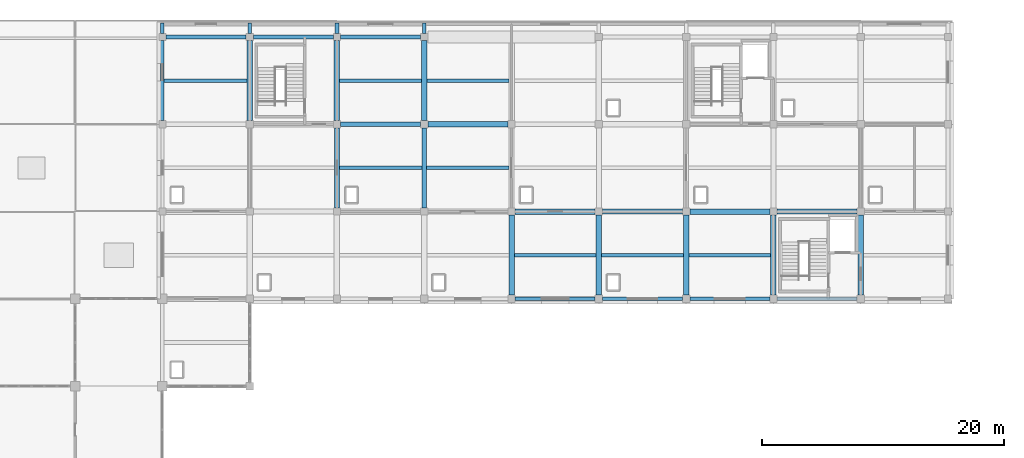
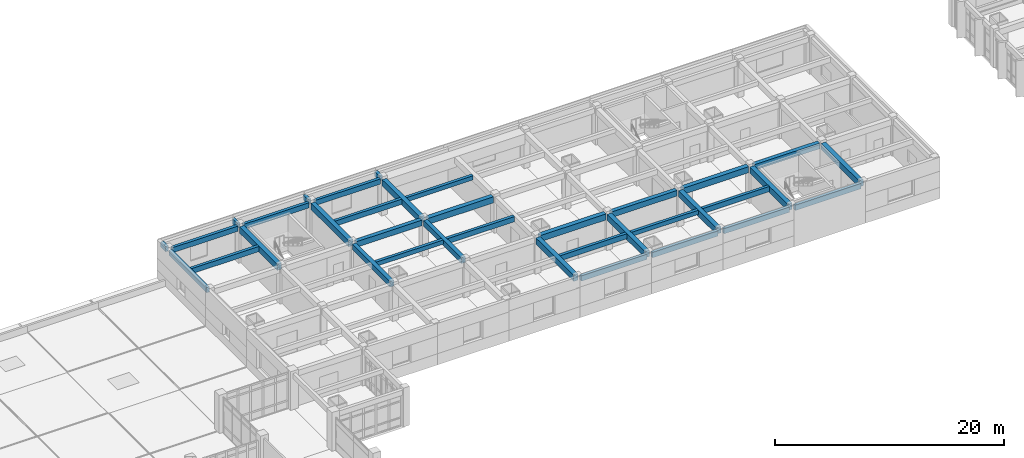
# One storey, part 14 of 62: 36 beams.
"""IFC4 building model written with IfcOpenShell, lengths in metres."""

import ifcopenshell
import ifcopenshell.guid

model = None  # the IFC model being written
_history = None  # IfcOwnerHistory: only IFC2X3 demands one
_inside = {}  # id of a spatial element -> (the spatial element, [elements in it])
_under = {}  # id of a project, library or spatial element -> (it, [spatial elements below it])
_declared = {}  # id of a project -> (the project, [libraries it declares])
_typed = {}  # id of a type object -> (the type object, [elements of that type])
_made_of = {}  # id of a material, layer set ... -> (it, [elements and type objects made of it])


def new_model(schema):
    """Start an empty IFC model of exactly this schema.

    Asked for "IFC4X3", IfcOpenShell would pick the latest addendum, in which some entities
    have other attributes; the version numbers below select the first issue.
    IFC2X3 requires an IfcOwnerHistory on every rooted entity: one is made here for all.
    """
    global model, _history
    if schema == "IFC4X3":
        model = ifcopenshell.file(schema_version=(4, 3, 0, 0))
    else:
        model = ifcopenshell.file(schema=schema)
    _inside.clear()
    _under.clear()
    _declared.clear()
    _typed.clear()
    _made_of.clear()
    _history = None
    if model.schema == "IFC2X3":
        org = make("IfcOrganization", Name="unknown")
        user = make(
            "IfcPersonAndOrganization",
            ThePerson=make("IfcPerson", FamilyName="unknown"),
            TheOrganization=org,
        )
        app = make(
            "IfcApplication",
            ApplicationDeveloper=org,
            Version="unknown",
            ApplicationFullName="unknown",
            ApplicationIdentifier="unknown",
        )
        _history = make(
            "IfcOwnerHistory",
            OwningUser=user,
            OwningApplication=app,
            ChangeAction="ADDED",
            CreationDate=0,
        )
    return model


def make(cls, **values):
    """One entity of the class cls with the attributes given. An attribute that is None is left unset."""
    return model.create_entity(
        cls, **{name: value for name, value in values.items() if value is not None}
    )


def rooted(cls, **values):
    """An entity with a GlobalId (a new one), such as an element, a storey or a relation."""
    return make(cls, GlobalId=ifcopenshell.guid.new(), OwnerHistory=_history, **values)


def si_unit(unit_type, name, prefix=None):
    """IfcSIUnit, for example si_unit("LENGTHUNIT", "METRE", prefix="MILLI")."""
    return make("IfcSIUnit", UnitType=unit_type, Prefix=prefix, Name=name)


def assignment(units):
    """IfcUnitAssignment: the units of a project."""
    return None if units is None else make("IfcUnitAssignment", Units=units)


def point(xyz):
    """IfcCartesianPoint."""
    return None if xyz is None else make("IfcCartesianPoint", Coordinates=xyz)


def direction(xyz):
    """IfcDirection."""
    return None if xyz is None else make("IfcDirection", DirectionRatios=xyz)


def frame(location, z_axis=None, x_axis=None):
    """IfcAxis2Placement3D, a coordinate frame: its origin and axes. An axis left out is left unset."""
    return make(
        "IfcAxis2Placement3D",
        Location=point(location),
        Axis=direction(z_axis),
        RefDirection=direction(x_axis),
    )


def frame_2d(location, x_axis=None):
    """IfcAxis2Placement2D, a coordinate frame in the plane: its origin and x axis."""
    return make(
        "IfcAxis2Placement2D", Location=point(location), RefDirection=direction(x_axis)
    )


def origin():
    """The frame at (0, 0, 0) with its axes left unset."""
    return frame((0.0, 0.0, 0.0))


def origin_2d():
    """The frame at (0, 0) in the plane with its x axis left unset."""
    return frame_2d((0.0, 0.0))


def place(relative_to, where):
    """IfcLocalPlacement: puts the frame where relative to a parent placement (None: the world)."""
    return make(
        "IfcLocalPlacement", PlacementRelTo=relative_to, RelativePlacement=where
    )


def context(
    kind, dimensions, precision=None, world=None, true_north=None, identifier=None
):
    """IfcGeometricRepresentationContext, for example the 3D "Model" context."""
    return make(
        "IfcGeometricRepresentationContext",
        ContextIdentifier=identifier,
        ContextType=kind,
        CoordinateSpaceDimension=dimensions,
        Precision=precision,
        WorldCoordinateSystem=world,
        TrueNorth=true_north,
    )


def subcontext(parent, identifier, kind, view, scale=None):
    """IfcGeometricRepresentationSubContext, for example "Body" below "Model"."""
    return make(
        "IfcGeometricRepresentationSubContext",
        ContextIdentifier=identifier,
        ContextType=kind,
        ParentContext=parent,
        TargetScale=scale,
        TargetView=view,
    )


def project(units=None, contexts=None):
    """IfcProject with its units and contexts."""
    return rooted(
        "IfcProject",
        Name="project",
        RepresentationContexts=contexts,
        UnitsInContext=assignment(units),
    )


def spatial(cls, under=None, at=None, **own):
    """A site, building, storey or space (cls), placed at a placement, below another one or the project."""
    s = rooted(cls, ObjectPlacement=at, **own)
    if under is not None:
        _under.setdefault(under.id(), (under, []))[1].append(s)
    return s


def profile(cls, at=None, kind="AREA", **sizes):
    """A parametric profile (cls). Its sizes go by their IFC names, for example OverallWidth=200.0."""
    return make(cls, ProfileType=kind, Position=at, **sizes)


def rectangle(**sizes):
    """IfcRectangleProfileDef."""
    return profile("IfcRectangleProfileDef", **sizes)


def extrude(swept, where, along, depth):
    """IfcExtrudedAreaSolid: the profile swept, set in the frame where, extruded along a direction by depth."""
    return make(
        "IfcExtrudedAreaSolid",
        SweptArea=swept,
        Position=where,
        ExtrudedDirection=direction(along),
        Depth=depth,
    )


def shape(context_of_items, identifier, shape_type, items):
    """IfcShapeRepresentation: the items that make up one representation, for example the "Body"."""
    return make(
        "IfcShapeRepresentation",
        ContextOfItems=context_of_items,
        RepresentationIdentifier=identifier,
        RepresentationType=shape_type,
        Items=items,
    )


def material(Name=None, Category=None):
    """IfcMaterial."""
    return make("IfcMaterial", Name=Name, Category=Category)


def material_profile(
    of_material, cross_section, Name=None, Category=None, Priority=None
):
    """IfcMaterialProfile: a cross section and its material."""
    return make(
        "IfcMaterialProfile",
        Name=Name,
        Material=of_material,
        Profile=cross_section,
        Priority=Priority,
        Category=Category,
    )


def profile_set(profiles, Name=None, composite=None):
    """IfcMaterialProfileSet."""
    return make(
        "IfcMaterialProfileSet",
        Name=Name,
        MaterialProfiles=profiles,
        CompositeProfile=composite,
    )


def made_of(thing, what):
    """Note that an element or type object is made of a material, layer set ...; save() writes the relation."""
    if what is not None:
        _made_of.setdefault(what.id(), (what, []))[1].append(thing)
    return thing


def type_object(cls, material=None, **own):
    """A type object (cls), such as IfcWallType, which elements share."""
    return made_of(rooted(cls, **own), material)


def element(
    cls,
    number,
    at=None,
    inside=None,
    cuts=None,
    type_object=None,
    material=None,
    context=None,
    identifier="Body",
    shape_type=None,
    held_by="IfcProductDefinitionShape",
    body=None,
    shapes=None,
    **own,
):
    """One element of the class cls, such as IfcWall. Its Tag is "e" and its number.

    at: its placement. inside: the storey or other place that contains it. cuts: it is an
    opening in that element (IfcRelVoidsElement). A single representation is given by context,
    identifier, shape_type and body (its items); several are given by shapes. held_by: the class
    of the entity that holds the representations. save() writes the other relations.
    """
    e = rooted(cls, Tag="e%d" % number, ObjectPlacement=at, **own)
    if body is not None:
        shapes = [shape(context, identifier, shape_type, body)]
    if shapes is not None:
        e.Representation = make(held_by, Representations=shapes)
    if inside is not None:
        _inside.setdefault(inside.id(), (inside, []))[1].append(e)
    if cuts is not None:
        rooted(
            "IfcRelVoidsElement", RelatingBuildingElement=cuts, RelatedOpeningElement=e
        )
    if type_object is not None:
        _typed.setdefault(type_object.id(), (type_object, []))[1].append(e)
    return made_of(e, material)


def aggregate(whole, parts):
    """IfcRelAggregates: a whole, such as a stair, and the parts it consists of."""
    return rooted("IfcRelAggregates", RelatingObject=whole, RelatedObjects=parts)


def save(model, path):
    """Write the relations noted so far, then the file.

    IfcRelAggregates (storeys below a building ...), IfcRelContainedInSpatialStructure (elements
    in a storey), IfcRelDefinesByType, IfcRelAssociatesMaterial and IfcRelDeclares: one each for
    every whole, place, type object, material and project.
    """
    for whole, parts in _under.values():
        aggregate(whole, parts)
    for where, things in _inside.values():
        rooted(
            "IfcRelContainedInSpatialStructure",
            RelatedElements=things,
            RelatingStructure=where,
        )
    for kind, things in _typed.values():
        rooted("IfcRelDefinesByType", RelatedObjects=things, RelatingType=kind)
    for what, things in _made_of.values():
        rooted("IfcRelAssociatesMaterial", RelatedObjects=things, RelatingMaterial=what)
    for by, libraries in _declared.values():
        rooted("IfcRelDeclares", RelatingContext=by, RelatedDefinitions=libraries)
    model.write(path)


model = new_model("IFC4")

# Units and contexts
model_context = context("Model", 3, precision=1e-05, world=origin(), true_north=direction((0.0, 1.0)))
body_context = subcontext(model_context, "Body", "Model", "MODEL_VIEW")
ifc_project = project(units=[si_unit("LENGTHUNIT", "METRE"), si_unit("AREAUNIT", "SQUARE_METRE"), si_unit("VOLUMEUNIT", "CUBIC_METRE"), si_unit("PLANEANGLEUNIT", "RADIAN"), si_unit("MASSUNIT", "GRAM", prefix="KILO")], contexts=[model_context])

# Site, building, storey
site_placement = place(None, origin())
site = spatial("IfcSite", under=ifc_project, at=site_placement, CompositionType="ELEMENT")
building_placement = place(site_placement, origin())
building = spatial("IfcBuilding", under=site, at=building_placement, Name="Kavelor Marine Aquarium", CompositionType="ELEMENT")
storey_placement = place(building_placement, frame((0.0, 0.0, 13.5)))
storey = spatial("IfcBuildingStorey", under=building, at=storey_placement, Name="L03", CompositionType="ELEMENT", Elevation=13.5)

# Beams
ifc_material_1 = material(Name="Concrete C40/50", Category="concrete")
ifc_material_profile_1 = material_profile(ifc_material_1, rectangle(XDim=0.449951171875, YDim=0.64990234375, at=origin_2d()), Name="RC-BM 450x650")
ifc_profile_set_1 = profile_set([ifc_material_profile_1], Name="Concrete C40/50")
beam_type_1 = type_object("IfcBeamType", Name="BM-B3", PredefinedType="BEAM", material=ifc_profile_set_1)
for number, where, z_axis, x_axis, name in (
    (1, (61.10009765625, 103.60009765625, 3.534912109375), (1.0, 0.0, 0.0), (0.0, 1.0, 0.0), "bm:x:L03:L04:08_14"),
    (2, (68.300048828125, 96.39990234375, 3.554931640625), (1.0, 0.0, 0.0), (0.0, 1.0, 0.0), "bm:x:L03:L04:09_13"),
):
    element("IfcBeam", number, at=place(storey_placement, frame(where, z_axis=z_axis, x_axis=x_axis)), inside=storey, type_object=beam_type_1, Name=name, PredefinedType="BEAM", context=body_context, shape_type="SweptSolid", body=[
        extrude(rectangle(XDim=0.449951171875, YDim=0.64990234375, at=origin_2d()), origin(), (0.0, 0.0, 1.0), 6.599853515625),
    ])
for number, where, z_axis, x_axis, name in (
    (3, (82.699951171875, 96.39990234375, 3.554931640625), (1.0, 0.0, 0.0), (0.0, 1.0, 0.0), "bm:x:L03:L04:11_13"),
    (4, (46.39990234375, 103.89990234375, 3.534912109375), (0.0, 1.0, 0.0), (-1.0, 0.0, 0.0), "bm:y:L03:L04:06_14"),
    (5, (53.60009765625, 103.89990234375, 3.534912109375), (0.0, 1.0, 0.0), (-1.0, 0.0, 0.0), "bm:y:L03:L04:07_14"),
    (6, (60.800048828125, 103.89990234375, 3.534912109375), (0.0, 1.0, 0.0), (-1.0, 0.0, 0.0), "bm:y:L03:L04:08_14"),
    (7, (68.0, 89.5, 3.534912109375), (0.0, 1.0, 0.0), (-1.0, 0.0, 0.0), "bm:y:L03:L04:09_12"),
    (8, (75.199951171875, 89.5, 3.534912109375), (0.0, 1.0, 0.0), (-1.0, 0.0, 0.0), "bm:y:L03:L04:10_12"),
    (9, (82.39990234375, 89.5, 3.534912109375), (0.0, 1.0, 0.0), (-1.0, 0.0, 0.0), "bm:y:L03:L04:11_12"),
    (10, (89.60009765625, 89.5, 3.534912109375), (0.0, 1.0, 0.0), (-1.0, 0.0, 0.0), "bm:y:L03:L04:12_12"),
    (11, (96.800048828125, 89.5, 3.534912109375), (0.0, 1.0, 0.0), (-1.0, 0.0, 0.0), "bm:y:L03:L04:13_12"),
):
    element("IfcBeam", number, at=place(storey_placement, frame(where, z_axis=z_axis, x_axis=x_axis)), inside=storey, type_object=beam_type_1, Name=name, PredefinedType="BEAM", context=body_context, shape_type="SweptSolid", body=[
        extrude(rectangle(XDim=0.449951171875, YDim=0.64990234375, at=origin_2d()), origin(), (0.0, 0.0, 1.0), 6.60009765625),
    ])
ifc_material_2 = material(Name="Concrete C40/50", Category="concrete")
ifc_material_profile_2 = material_profile(ifc_material_2, rectangle(XDim=0.39990234375, YDim=0.60009765625, at=origin_2d()), Name="RC-BM 400x600")
ifc_profile_set_2 = profile_set([ifc_material_profile_2], Name="Concrete C40/50")
beam_type_2 = type_object("IfcBeamType", Name="BM-B4", PredefinedType="BEAM", material=ifc_profile_set_2)
for number, where, z_axis, x_axis, name in (
    (12, (53.89990234375, 103.60009765625, 3.580078125), (1.0, 0.0, 0.0), (0.0, 1.0, 0.0), "bm:x:L03:L04:07_14"),
    (13, (75.5, 96.39990234375, 3.56005859375), (1.0, 0.0, 0.0), (0.0, 1.0, 0.0), "bm:x:L03:L04:10_13"),
    (14, (89.89990234375, 96.39990234375, 3.56005859375), (1.0, 0.0, 0.0), (0.0, 1.0, 0.0), "bm:x:L03:L04:12_13"),
    (15, (53.60009765625, 96.699951171875, 3.56005859375), (0.0, 1.0, 0.0), (-1.0, 0.0, 0.0), "bm:y:L03:L04:07_13"),
    (16, (60.800048828125, 96.699951171875, 3.56005859375), (0.0, 1.0, 0.0), (-1.0, 0.0, 0.0), "bm:y:L03:L04:08_13"),
):
    element("IfcBeam", number, at=place(storey_placement, frame(where, z_axis=z_axis, x_axis=x_axis)), inside=storey, type_object=beam_type_2, Name=name, PredefinedType="BEAM", context=body_context, shape_type="SweptSolid", body=[
        extrude(rectangle(XDim=0.39990234375, YDim=0.60009765625, at=origin_2d()), origin(), (0.0, 0.0, 1.0), 6.60009765625),
    ])
ifc_material_3 = material(Name="Concrete C40/50", Category="concrete")
ifc_material_profile_3 = material_profile(ifc_material_3, rectangle(XDim=0.300048828125, YDim=0.449951171875, at=origin_2d()), Name="RC-JS 300x450")
ifc_profile_set_3 = profile_set([ifc_material_profile_3], Name="Concrete C40/50")
beam_type_3 = type_object("IfcBeamType", Name="BM-JS1", PredefinedType="JOIST", material=ifc_profile_set_3)
beam_1_placement = place(storey_placement, frame((53.800048828125, 100.0, 3.655029296875), z_axis=(1.0, 0.0, 0.0), x_axis=(0.0, 1.0, 0.0)))
element("IfcBeam", 17, at=beam_1_placement, inside=storey, type_object=beam_type_3, Name="js:L03:L04:07_13", PredefinedType="JOIST", context=body_context, shape_type="SweptSolid", body=[
    extrude(rectangle(XDim=0.300048828125, YDim=0.449951171875, at=origin_2d()), origin(), (0.0, 0.0, 1.0), 6.800048828125),
])
for number, where, z_axis, x_axis, name in (
    (18, (61.02490234375, 107.199951171875, 3.635009765625), (1.0, 0.0, 0.0), (0.0, 1.0, 0.0), "js:L03:L04:08_14"),
    (19, (75.425048828125, 92.800048828125, 3.635009765625), (1.0, 0.0, 0.0), (0.0, 1.0, 0.0), "js:L03:L04:10_12"),
):
    element("IfcBeam", number, at=place(storey_placement, frame(where, z_axis=z_axis, x_axis=x_axis)), inside=storey, type_object=beam_type_3, Name=name, PredefinedType="JOIST", context=body_context, shape_type="SweptSolid", body=[
        extrude(rectangle(XDim=0.300048828125, YDim=0.449951171875, at=origin_2d()), origin(), (0.0, 0.0, 1.0), 6.75),
    ])
ifc_material_4 = material(Name="Concrete C40/50", Category="concrete")
ifc_material_profile_4 = material_profile(ifc_material_4, rectangle(XDim=0.300048828125, YDim=0.550048828125, at=origin_2d()), Name="RC-JS 300x550")
ifc_profile_set_4 = profile_set([ifc_material_profile_4], Name="Concrete C40/50")
beam_type_4 = type_object("IfcBeamType", Name="BM-JS2", PredefinedType="JOIST", material=ifc_profile_set_4)
beam_2_placement = place(storey_placement, frame((39.35009765625, 107.199951171875, 3.60498046875), z_axis=(1.0, 0.0, 0.0), x_axis=(0.0, 1.0, 0.0)))
element("IfcBeam", 20, at=beam_2_placement, inside=storey, type_object=beam_type_4, Name="js:L03:L04:05_14", PredefinedType="JOIST", context=body_context, shape_type="SweptSolid", body=[
    extrude(rectangle(XDim=0.300048828125, YDim=0.550048828125, at=origin_2d()), origin(), (0.0, 0.0, 1.0), 6.824951171875),
])
beam_3_placement = place(storey_placement, frame((53.824951171875, 107.199951171875, 3.60498046875), z_axis=(1.0, 0.0, 0.0), x_axis=(0.0, 1.0, 0.0)))
element("IfcBeam", 21, at=beam_3_placement, inside=storey, type_object=beam_type_4, Name="js:L03:L04:07_14", PredefinedType="JOIST", context=body_context, shape_type="SweptSolid", body=[
    extrude(rectangle(XDim=0.300048828125, YDim=0.550048828125, at=origin_2d()), origin(), (0.0, 0.0, 1.0), 6.75),
])
beam_4_placement = place(storey_placement, frame((61.0, 100.0, 3.5849609375), z_axis=(1.0, 0.0, 0.0), x_axis=(0.0, 1.0, 0.0)))
element("IfcBeam", 22, at=beam_4_placement, inside=storey, type_object=beam_type_4, Name="js:L03:L04:08_13", PredefinedType="JOIST", context=body_context, shape_type="SweptSolid", body=[
    extrude(rectangle(XDim=0.300048828125, YDim=0.550048828125, at=origin_2d()), origin(), (0.0, 0.0, 1.0), 6.800048828125),
])
for number, where, z_axis, x_axis, name in (
    (23, (68.22509765625, 92.800048828125, 3.60498046875), (1.0, 0.0, 0.0), (0.0, 1.0, 0.0), "js:L03:L04:09_12"),
    (24, (82.625, 92.800048828125, 3.60498046875), (1.0, 0.0, 0.0), (0.0, 1.0, 0.0), "js:L03:L04:11_12"),
):
    element("IfcBeam", number, at=place(storey_placement, frame(where, z_axis=z_axis, x_axis=x_axis)), inside=storey, type_object=beam_type_4, Name=name, PredefinedType="JOIST", context=body_context, shape_type="SweptSolid", body=[
        extrude(rectangle(XDim=0.300048828125, YDim=0.550048828125, at=origin_2d()), origin(), (0.0, 0.0, 1.0), 6.75),
    ])
ifc_material_5 = material(Name="Concrete C40/50", Category="concrete")
ifc_material_profile_5 = material_profile(ifc_material_5, rectangle(XDim=0.300048828125, YDim=0.550048828125, at=origin_2d()), Name="RC-SP 300x550")
ifc_profile_set_5 = profile_set([ifc_material_profile_5], Name="Concrete C40/50")
beam_type_5 = type_object("IfcBeamType", Name="BM-SP2", PredefinedType="SPANDREL", material=ifc_profile_set_5)
for number, where, z_axis, x_axis, name in (
    (25, (39.5, 110.800048828125, 3.60498046875), (1.0, 0.0, 0.0), (0.0, 1.0, 0.0), "bm:x:L03:L04:05_15"),
    (26, (46.699951171875, 110.800048828125, 3.5849609375), (1.0, 0.0, 0.0), (0.0, 1.0, 0.0), "bm:x:L03:L04:06_15"),
    (27, (53.89990234375, 110.800048828125, 3.60498046875), (1.0, 0.0, 0.0), (0.0, 1.0, 0.0), "bm:x:L03:L04:07_15"),
):
    element("IfcBeam", number, at=place(storey_placement, frame(where, z_axis=z_axis, x_axis=x_axis)), inside=storey, type_object=beam_type_5, Name=name, PredefinedType="SPANDREL", context=body_context, shape_type="SweptSolid", body=[
        extrude(rectangle(XDim=0.300048828125, YDim=0.550048828125, at=origin_2d()), origin(), (0.0, 0.0, 1.0), 6.60009765625),
    ])
beam_5_placement = place(storey_placement, frame((68.300048828125, 89.199951171875, 3.60498046875), z_axis=(1.0, 0.0, 0.0), x_axis=(0.0, 1.0, 0.0)))
element("IfcBeam", 28, at=beam_5_placement, inside=storey, type_object=beam_type_5, Name="bm:x:L03:L04:09_12", PredefinedType="SPANDREL", context=body_context, shape_type="SweptSolid", body=[
    extrude(rectangle(XDim=0.300048828125, YDim=0.550048828125, at=origin_2d()), origin(), (0.0, 0.0, 1.0), 6.599853515625),
])
for number, where, z_axis, x_axis, name in (
    (29, (75.5, 89.199951171875, 3.5849609375), (1.0, 0.0, 0.0), (0.0, 1.0, 0.0), "bm:x:L03:L04:10_12"),
    (30, (82.699951171875, 89.199951171875, 3.60498046875), (1.0, 0.0, 0.0), (0.0, 1.0, 0.0), "bm:x:L03:L04:11_12"),
    (31, (89.89990234375, 89.199951171875, 3.5849609375), (1.0, 0.0, 0.0), (0.0, 1.0, 0.0), "bm:x:L03:L04:12_12"),
    (32, (39.199951171875, 103.89990234375, 3.60498046875), (0.0, 1.0, 0.0), (-1.0, 0.0, 0.0), "bm:y:L03:L04:05_14"),
):
    element("IfcBeam", number, at=place(storey_placement, frame(where, z_axis=z_axis, x_axis=x_axis)), inside=storey, type_object=beam_type_5, Name=name, PredefinedType="SPANDREL", context=body_context, shape_type="SweptSolid", body=[
        extrude(rectangle(XDim=0.300048828125, YDim=0.550048828125, at=origin_2d()), origin(), (0.0, 0.0, 1.0), 6.60009765625),
    ])
for number, where, z_axis, x_axis, name in (
    (33, (39.199951171875, 111.10009765625, 3.60498046875), (0.0, 1.0, 0.0), (-1.0, 0.0, 0.0), "bm:out:n:L03:L04:05"),
    (34, (46.39990234375, 111.10009765625, 3.5849609375), (0.0, 1.0, 0.0), (-1.0, 0.0, 0.0), "bm:out:n:L03:L04:06"),
    (35, (53.60009765625, 111.10009765625, 3.5849609375), (0.0, 1.0, 0.0), (-1.0, 0.0, 0.0), "bm:out:n:L03:L04:07"),
    (36, (60.800048828125, 111.10009765625, 3.5849609375), (0.0, 1.0, 0.0), (-1.0, 0.0, 0.0), "bm:out:n:L03:L04:08"),
):
    element("IfcBeam", number, at=place(storey_placement, frame(where, z_axis=z_axis, x_axis=x_axis)), inside=storey, type_object=beam_type_5, Name=name, PredefinedType="SPANDREL", context=body_context, shape_type="SweptSolid", body=[
        extrude(rectangle(XDim=0.300048828125, YDim=0.550048828125, at=origin_2d()), origin(), (0.0, 0.0, 1.0), 0.85986328125),
    ])

save(model, "model.ifc")
